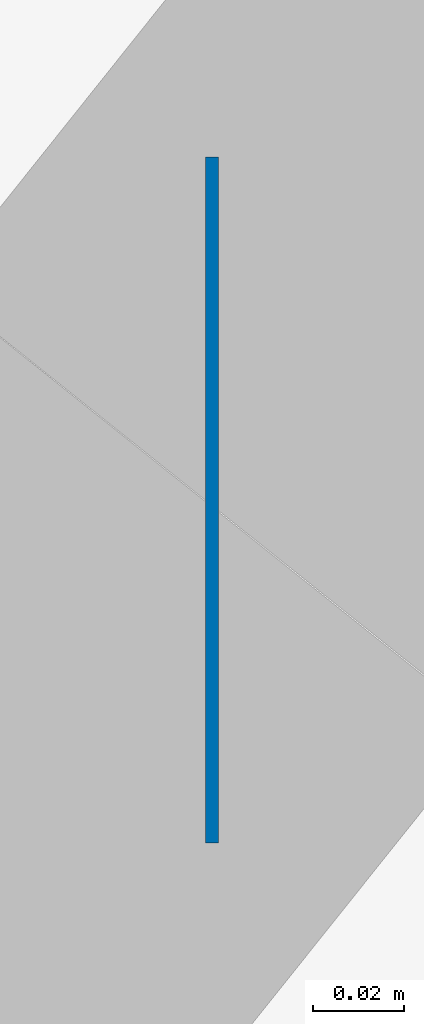
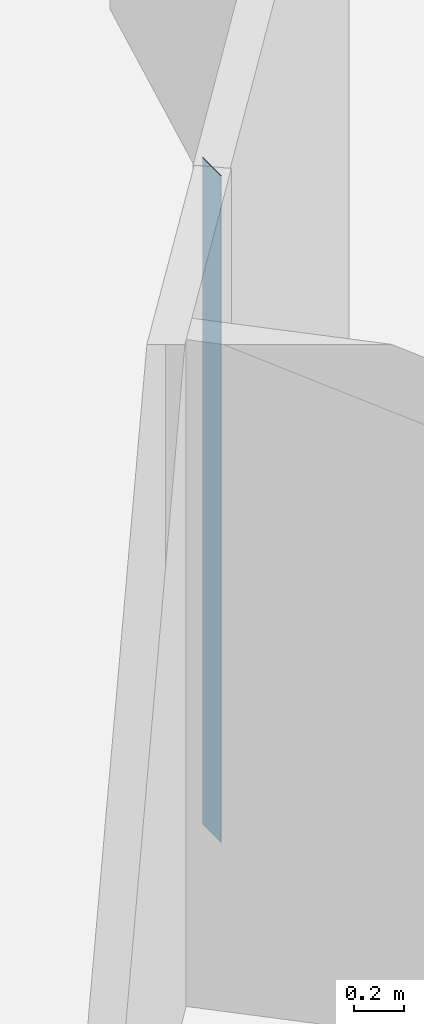
# One storey, part 4 of 11: 1 wall.
"""IFC4 building model written with IfcOpenShell, lengths in metres."""

from ifc_helpers import new_model, si_unit, direction, frame, frame_2d, origin, place, context, subcontext, project, spatial, rectangle, extrude, material, layer, layer_set, type_object, element, save


model = new_model("IFC4")

# Units and contexts
model_context = context("Model", 3, precision=1e-05, world=origin(), true_north=direction((0.0, 1.0)))
body_context = subcontext(model_context, "Body", "Model", "MODEL_VIEW")
ifc_project = project(units=[si_unit("LENGTHUNIT", "METRE"), si_unit("AREAUNIT", "SQUARE_METRE"), si_unit("VOLUMEUNIT", "CUBIC_METRE"), si_unit("PLANEANGLEUNIT", "RADIAN"), si_unit("MASSUNIT", "GRAM", prefix="KILO")], contexts=[model_context])

# Site, building, storey
site_placement = place(None, origin())
site = spatial("IfcSite", under=ifc_project, at=site_placement, CompositionType="ELEMENT")
building_placement = place(site_placement, origin())
building = spatial("IfcBuilding", under=site, at=building_placement, Name="Tracery Tower", CompositionType="ELEMENT")
storey_placement = place(building_placement, frame((0.0, 0.0, 267.0)))
storey = spatial("IfcBuildingStorey", under=building, at=storey_placement, Name="L69", CompositionType="ELEMENT", Elevation=267.0)

# Wall
ifc_material = material(Name="Plasterboard on steel studs", Category="steel")
ifc_layer = layer(ifc_material, 0.14990234375)
ifc_layer_set = layer_set([ifc_layer], Name="Partition 150 corridor wall")
wall_type = type_object("IfcWallType", Name="Partition 150 corridor wall", PredefinedType="PARTITIONING", material=ifc_layer_set)
wall_placement = place(storey_placement, frame((11.136962890625, -8.800048828125, 0.0), z_axis=(0.0, 0.0, 1.0), x_axis=(-1.0, 0.0, 0.0)))
element("IfcWall", 1, at=wall_placement, inside=storey, type_object=wall_type, Name="Corridor wall RC4-015", PredefinedType="PARTITIONING", context=body_context, shape_type="SweptSolid", body=[
    extrude(rectangle(XDim=0.0029296875, YDim=0.14990234375, at=frame_2d((0.00146484375, 0.0))), origin(), (0.0, 0.0, 1.0), 3.25),
])

save(model, "model.ifc")
